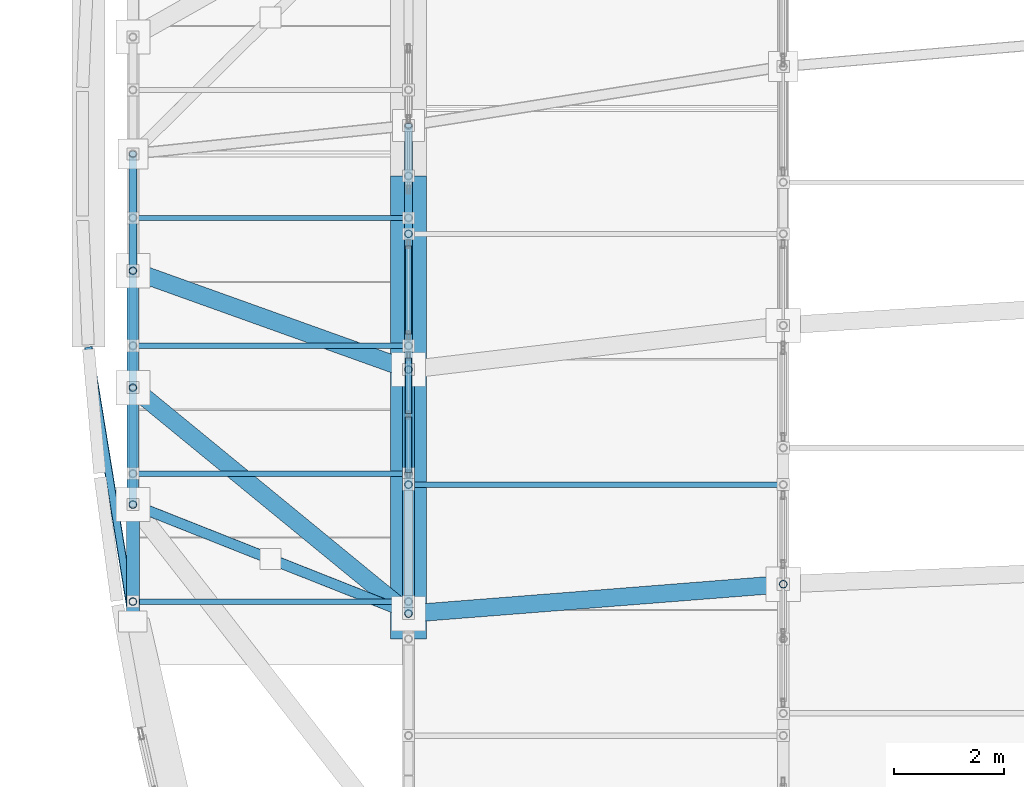
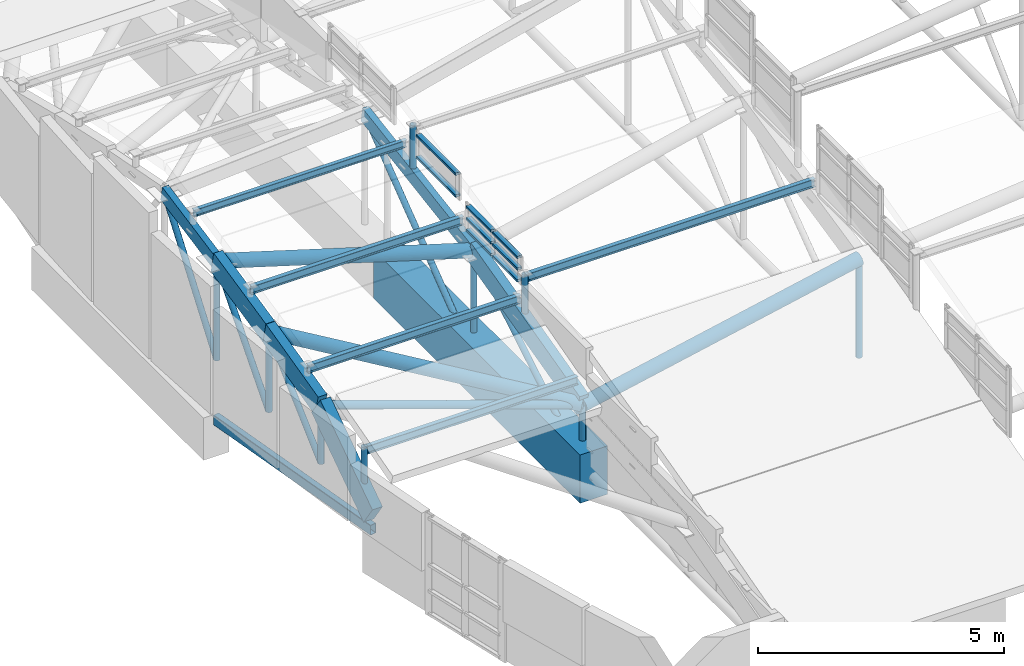
# One storey, part 68 of 188: 37 members, 2 beams, 2 elements without a shape of their own.
"""IFC4 building model written with IfcOpenShell, lengths in metres."""

import ifcopenshell
import ifcopenshell.guid

model = None  # the IFC model being written
_history = None  # IfcOwnerHistory: only IFC2X3 demands one
_inside = {}  # id of a spatial element -> (the spatial element, [elements in it])
_under = {}  # id of a project, library or spatial element -> (it, [spatial elements below it])
_declared = {}  # id of a project -> (the project, [libraries it declares])
_typed = {}  # id of a type object -> (the type object, [elements of that type])
_made_of = {}  # id of a material, layer set ... -> (it, [elements and type objects made of it])


def new_model(schema):
    """Start an empty IFC model of exactly this schema.

    Asked for "IFC4X3", IfcOpenShell would pick the latest addendum, in which some entities
    have other attributes; the version numbers below select the first issue.
    IFC2X3 requires an IfcOwnerHistory on every rooted entity: one is made here for all.
    """
    global model, _history
    if schema == "IFC4X3":
        model = ifcopenshell.file(schema_version=(4, 3, 0, 0))
    else:
        model = ifcopenshell.file(schema=schema)
    _inside.clear()
    _under.clear()
    _declared.clear()
    _typed.clear()
    _made_of.clear()
    _history = None
    if model.schema == "IFC2X3":
        org = make("IfcOrganization", Name="unknown")
        user = make(
            "IfcPersonAndOrganization",
            ThePerson=make("IfcPerson", FamilyName="unknown"),
            TheOrganization=org,
        )
        app = make(
            "IfcApplication",
            ApplicationDeveloper=org,
            Version="unknown",
            ApplicationFullName="unknown",
            ApplicationIdentifier="unknown",
        )
        _history = make(
            "IfcOwnerHistory",
            OwningUser=user,
            OwningApplication=app,
            ChangeAction="ADDED",
            CreationDate=0,
        )
    return model


def make(cls, **values):
    """One entity of the class cls with the attributes given. An attribute that is None is left unset."""
    return model.create_entity(
        cls, **{name: value for name, value in values.items() if value is not None}
    )


def rooted(cls, **values):
    """An entity with a GlobalId (a new one), such as an element, a storey or a relation."""
    return make(cls, GlobalId=ifcopenshell.guid.new(), OwnerHistory=_history, **values)


def si_unit(unit_type, name, prefix=None):
    """IfcSIUnit, for example si_unit("LENGTHUNIT", "METRE", prefix="MILLI")."""
    return make("IfcSIUnit", UnitType=unit_type, Prefix=prefix, Name=name)


def assignment(units):
    """IfcUnitAssignment: the units of a project."""
    return None if units is None else make("IfcUnitAssignment", Units=units)


def point(xyz):
    """IfcCartesianPoint."""
    return None if xyz is None else make("IfcCartesianPoint", Coordinates=xyz)


def direction(xyz):
    """IfcDirection."""
    return None if xyz is None else make("IfcDirection", DirectionRatios=xyz)


def frame(location, z_axis=None, x_axis=None):
    """IfcAxis2Placement3D, a coordinate frame: its origin and axes. An axis left out is left unset."""
    return make(
        "IfcAxis2Placement3D",
        Location=point(location),
        Axis=direction(z_axis),
        RefDirection=direction(x_axis),
    )


def frame_2d(location, x_axis=None):
    """IfcAxis2Placement2D, a coordinate frame in the plane: its origin and x axis."""
    return make(
        "IfcAxis2Placement2D", Location=point(location), RefDirection=direction(x_axis)
    )


def origin():
    """The frame at (0, 0, 0) with its axes left unset."""
    return frame((0.0, 0.0, 0.0))


def origin_2d():
    """The frame at (0, 0) in the plane with its x axis left unset."""
    return frame_2d((0.0, 0.0))


def place(relative_to, where):
    """IfcLocalPlacement: puts the frame where relative to a parent placement (None: the world)."""
    return make(
        "IfcLocalPlacement", PlacementRelTo=relative_to, RelativePlacement=where
    )


def context(
    kind, dimensions, precision=None, world=None, true_north=None, identifier=None
):
    """IfcGeometricRepresentationContext, for example the 3D "Model" context."""
    return make(
        "IfcGeometricRepresentationContext",
        ContextIdentifier=identifier,
        ContextType=kind,
        CoordinateSpaceDimension=dimensions,
        Precision=precision,
        WorldCoordinateSystem=world,
        TrueNorth=true_north,
    )


def subcontext(parent, identifier, kind, view, scale=None):
    """IfcGeometricRepresentationSubContext, for example "Body" below "Model"."""
    return make(
        "IfcGeometricRepresentationSubContext",
        ContextIdentifier=identifier,
        ContextType=kind,
        ParentContext=parent,
        TargetScale=scale,
        TargetView=view,
    )


def project(units=None, contexts=None):
    """IfcProject with its units and contexts."""
    return rooted(
        "IfcProject",
        Name="project",
        RepresentationContexts=contexts,
        UnitsInContext=assignment(units),
    )


def spatial(cls, under=None, at=None, **own):
    """A site, building, storey or space (cls), placed at a placement, below another one or the project."""
    s = rooted(cls, ObjectPlacement=at, **own)
    if under is not None:
        _under.setdefault(under.id(), (under, []))[1].append(s)
    return s


def profile(cls, at=None, kind="AREA", **sizes):
    """A parametric profile (cls). Its sizes go by their IFC names, for example OverallWidth=200.0."""
    return make(cls, ProfileType=kind, Position=at, **sizes)


def rectangle(**sizes):
    """IfcRectangleProfileDef."""
    return profile("IfcRectangleProfileDef", **sizes)


def hollow_rectangle(**sizes):
    """IfcRectangleHollowProfileDef."""
    return profile("IfcRectangleHollowProfileDef", **sizes)


def hollow_circle(**sizes):
    """IfcCircleHollowProfileDef."""
    return profile("IfcCircleHollowProfileDef", **sizes)


def i_section(**sizes):
    """IfcIShapeProfileDef."""
    return profile("IfcIShapeProfileDef", **sizes)


def extrude(swept, where, along, depth):
    """IfcExtrudedAreaSolid: the profile swept, set in the frame where, extruded along a direction by depth."""
    return make(
        "IfcExtrudedAreaSolid",
        SweptArea=swept,
        Position=where,
        ExtrudedDirection=direction(along),
        Depth=depth,
    )


def shape(context_of_items, identifier, shape_type, items):
    """IfcShapeRepresentation: the items that make up one representation, for example the "Body"."""
    return make(
        "IfcShapeRepresentation",
        ContextOfItems=context_of_items,
        RepresentationIdentifier=identifier,
        RepresentationType=shape_type,
        Items=items,
    )


def material(Name=None, Category=None):
    """IfcMaterial."""
    return make("IfcMaterial", Name=Name, Category=Category)


def layer(
    of_material, thickness, ventilated=None, Name=None, Category=None, Priority=None
):
    """IfcMaterialLayer: one layer of a wall or slab, of a material (None: an air gap)."""
    return make(
        "IfcMaterialLayer",
        Material=of_material,
        LayerThickness=thickness,
        IsVentilated=ventilated,
        Name=Name,
        Category=Category,
        Priority=Priority,
    )


def layer_set(layers, Name=None):
    """IfcMaterialLayerSet."""
    return make("IfcMaterialLayerSet", MaterialLayers=layers, LayerSetName=Name)


def material_profile(
    of_material, cross_section, Name=None, Category=None, Priority=None
):
    """IfcMaterialProfile: a cross section and its material."""
    return make(
        "IfcMaterialProfile",
        Name=Name,
        Material=of_material,
        Profile=cross_section,
        Priority=Priority,
        Category=Category,
    )


def profile_set(profiles, Name=None, composite=None):
    """IfcMaterialProfileSet."""
    return make(
        "IfcMaterialProfileSet",
        Name=Name,
        MaterialProfiles=profiles,
        CompositeProfile=composite,
    )


def made_of(thing, what):
    """Note that an element or type object is made of a material, layer set ...; save() writes the relation."""
    if what is not None:
        _made_of.setdefault(what.id(), (what, []))[1].append(thing)
    return thing


def type_object(cls, material=None, **own):
    """A type object (cls), such as IfcWallType, which elements share."""
    return made_of(rooted(cls, **own), material)


def element(
    cls,
    number,
    at=None,
    inside=None,
    cuts=None,
    type_object=None,
    material=None,
    context=None,
    identifier="Body",
    shape_type=None,
    held_by="IfcProductDefinitionShape",
    body=None,
    shapes=None,
    **own,
):
    """One element of the class cls, such as IfcWall. Its Tag is "e" and its number.

    at: its placement. inside: the storey or other place that contains it. cuts: it is an
    opening in that element (IfcRelVoidsElement). A single representation is given by context,
    identifier, shape_type and body (its items); several are given by shapes. held_by: the class
    of the entity that holds the representations. save() writes the other relations.
    """
    e = rooted(cls, Tag="e%d" % number, ObjectPlacement=at, **own)
    if body is not None:
        shapes = [shape(context, identifier, shape_type, body)]
    if shapes is not None:
        e.Representation = make(held_by, Representations=shapes)
    if inside is not None:
        _inside.setdefault(inside.id(), (inside, []))[1].append(e)
    if cuts is not None:
        rooted(
            "IfcRelVoidsElement", RelatingBuildingElement=cuts, RelatedOpeningElement=e
        )
    if type_object is not None:
        _typed.setdefault(type_object.id(), (type_object, []))[1].append(e)
    return made_of(e, material)


def aggregate(whole, parts):
    """IfcRelAggregates: a whole, such as a stair, and the parts it consists of."""
    return rooted("IfcRelAggregates", RelatingObject=whole, RelatedObjects=parts)


def save(model, path):
    """Write the relations noted so far, then the file.

    IfcRelAggregates (storeys below a building ...), IfcRelContainedInSpatialStructure (elements
    in a storey), IfcRelDefinesByType, IfcRelAssociatesMaterial and IfcRelDeclares: one each for
    every whole, place, type object, material and project.
    """
    for whole, parts in _under.values():
        aggregate(whole, parts)
    for where, things in _inside.values():
        rooted(
            "IfcRelContainedInSpatialStructure",
            RelatedElements=things,
            RelatingStructure=where,
        )
    for kind, things in _typed.values():
        rooted("IfcRelDefinesByType", RelatedObjects=things, RelatingType=kind)
    for what, things in _made_of.values():
        rooted("IfcRelAssociatesMaterial", RelatedObjects=things, RelatingMaterial=what)
    for by, libraries in _declared.values():
        rooted("IfcRelDeclares", RelatingContext=by, RelatedDefinitions=libraries)
    model.write(path)


model = new_model("IFC4")

# Units and contexts
model_context = context("Model", 3, precision=1e-05, world=origin(), true_north=direction((0.0, 1.0)))
body_context = subcontext(model_context, "Body", "Model", "MODEL_VIEW")
ifc_project = project(units=[si_unit("LENGTHUNIT", "METRE"), si_unit("AREAUNIT", "SQUARE_METRE"), si_unit("VOLUMEUNIT", "CUBIC_METRE"), si_unit("PLANEANGLEUNIT", "RADIAN"), si_unit("MASSUNIT", "GRAM", prefix="KILO")], contexts=[model_context])

# Site, building, storey
site_placement = place(None, origin())
site = spatial("IfcSite", under=ifc_project, at=site_placement, CompositionType="ELEMENT")
building_placement = place(site_placement, origin())
building = spatial("IfcBuilding", under=site, at=building_placement, Name="Kisaragi Civic Commons", CompositionType="ELEMENT")
storey_placement = place(building_placement, frame((0.0, 0.0, 9.60009765625)))
storey = spatial("IfcBuildingStorey", under=building, at=storey_placement, Name="L02", CompositionType="ELEMENT", Elevation=9.60009765625)

# Member
ifc_material_1 = material(Name="Steel SN400 (SN400B)", Category="steel")
ifc_material_profile_1 = material_profile(ifc_material_1, hollow_circle(Radius=0.095458984375, WallThickness=0.006103515625, at=origin_2d()), Name="CHS-190.7x6.0", Category="steel")
ifc_profile_set_1 = profile_set([ifc_material_profile_1], Name="Steel SN400 (SN400B)")
member_type_1 = type_object("IfcMemberType", Name="BR-06", PredefinedType="BRACE", material=ifc_profile_set_1)
member_1_placement = place(storey_placement, frame((1.800048828125, 90.037109375, 1.35986328125), z_axis=(0.925120078556, -0.3662535936, -0.100055711621), x_axis=(0.368100783589, 0.929785896387, 0.0)))
element("IfcMember", 1, at=member_1_placement, inside=storey, type_object=member_type_1, Name="V2 roof wind brace 1", PredefinedType="BRACE", context=body_context, shape_type="SweptSolid", body=[
    extrude(hollow_circle(Radius=0.095458984375, WallThickness=0.006103515625, at=origin_2d()), origin(), (0.0, 0.0, 1.0), 5.40478515625),
])

# Curtain wall, members
ifc_material_2 = material(Name="Thermally broken anodized aluminium and low-E double glazing", Category="aluminium")
ifc_layer = layer(ifc_material_2, 0.14990234375, Name="Thermally broken anodized aluminium and low-E double glazing", Category="aluminium")
ifc_layer_set = layer_set([ifc_layer], Name="Thermally broken anodized aluminium and low-E double glazing")
curtain_wall_type = type_object("IfcCurtainWallType", Name="CW-03", PredefinedType="NOTDEFINED", material=ifc_layer_set)
curtain_wall_1_placement = place(storey_placement, origin())
curtain_wall_1 = element("IfcCurtainWall", 2, at=curtain_wall_1_placement, inside=storey, type_object=curtain_wall_type, Name="L02 curtain wall CW-03 CW-CL-V2-175", PredefinedType="NOTDEFINED")
ifc_material_profile_2 = material_profile(ifc_material_2, hollow_rectangle(XDim=0.1201171875, YDim=0.06005859375, WallThickness=0.00390625, InnerFilletRadius=0.00390625, OuterFilletRadius=0.008056640625, at=origin_2d()), Name="CWT-60x120x4", Category="aluminium")
ifc_profile_set_2 = profile_set([ifc_material_profile_2], Name="Thermally broken anodized aluminium and low-E double glazing")
member_type_2 = type_object("IfcMemberType", Name="CWT-01", PredefinedType="USERDEFINED", material=ifc_profile_set_2)
member_2_placement = place(storey_placement, frame((6.800048828125, 90.618408203125, 2.345703125), z_axis=(0.0, 1.0, 0.0), x_axis=(-1.0, 0.0, 0.0)))
member_2 = element("IfcMember", 3, at=member_2_placement, type_object=member_type_2, Name="CW-03 transom 1.1", ObjectType="TRANSOM", PredefinedType="USERDEFINED", context=body_context, shape_type="SweptSolid", body=[
    extrude(hollow_rectangle(XDim=0.1201171875, YDim=0.06005859375, WallThickness=0.00390625, InnerFilletRadius=0.00390625, OuterFilletRadius=0.008056640625, at=origin_2d()), origin(), (0.0, 0.0, 1.0), 1.010009765625),
])
member_3_placement = place(storey_placement, frame((6.800048828125, 90.618408203125, 2.635986328125), z_axis=(0.0, 1.0, 0.0), x_axis=(-1.0, 0.0, 0.0)))
member_3 = element("IfcMember", 4, at=member_3_placement, type_object=member_type_2, Name="CW-03 transom 1.2", ObjectType="TRANSOM", PredefinedType="USERDEFINED", context=body_context, shape_type="SweptSolid", body=[
    extrude(hollow_rectangle(XDim=0.1201171875, YDim=0.06005859375, WallThickness=0.00390625, InnerFilletRadius=0.00390625, OuterFilletRadius=0.008056640625, at=origin_2d()), origin(), (0.0, 0.0, 1.0), 1.010009765625),
])
member_4_placement = place(storey_placement, frame((6.800048828125, 90.618408203125, 2.92626953125), z_axis=(0.0, 1.0, 0.0), x_axis=(-1.0, 0.0, 0.0)))
member_4 = element("IfcMember", 5, at=member_4_placement, type_object=member_type_2, Name="CW-03 transom 1.3", ObjectType="TRANSOM", PredefinedType="USERDEFINED", context=body_context, shape_type="SweptSolid", body=[
    extrude(hollow_rectangle(XDim=0.1201171875, YDim=0.06005859375, WallThickness=0.00390625, InnerFilletRadius=0.00390625, OuterFilletRadius=0.008056640625, at=origin_2d()), origin(), (0.0, 0.0, 1.0), 1.010009765625),
])
member_5_placement = place(storey_placement, frame((6.800048828125, 91.6884765625, 2.345703125), z_axis=(0.0, 1.0, 0.0), x_axis=(-1.0, 0.0, 0.0)))
member_5 = element("IfcMember", 6, at=member_5_placement, type_object=member_type_2, Name="CW-03 transom 2.1", ObjectType="TRANSOM", PredefinedType="USERDEFINED", context=body_context, shape_type="SweptSolid", body=[
    extrude(hollow_rectangle(XDim=0.1201171875, YDim=0.06005859375, WallThickness=0.00390625, InnerFilletRadius=0.00390625, OuterFilletRadius=0.008056640625, at=origin_2d()), origin(), (0.0, 0.0, 1.0), 1.010009765625),
])
member_6_placement = place(storey_placement, frame((6.800048828125, 91.6884765625, 2.635986328125), z_axis=(0.0, 1.0, 0.0), x_axis=(-1.0, 0.0, 0.0)))
member_6 = element("IfcMember", 7, at=member_6_placement, type_object=member_type_2, Name="CW-03 transom 2.2", ObjectType="TRANSOM", PredefinedType="USERDEFINED", context=body_context, shape_type="SweptSolid", body=[
    extrude(hollow_rectangle(XDim=0.1201171875, YDim=0.06005859375, WallThickness=0.00390625, InnerFilletRadius=0.00390625, OuterFilletRadius=0.008056640625, at=origin_2d()), origin(), (0.0, 0.0, 1.0), 1.010009765625),
])
member_7_placement = place(storey_placement, frame((6.800048828125, 91.6884765625, 2.92626953125), z_axis=(0.0, 1.0, 0.0), x_axis=(-1.0, 0.0, 0.0)))
member_7 = element("IfcMember", 8, at=member_7_placement, type_object=member_type_2, Name="CW-03 transom 2.3", ObjectType="TRANSOM", PredefinedType="USERDEFINED", context=body_context, shape_type="SweptSolid", body=[
    extrude(hollow_rectangle(XDim=0.1201171875, YDim=0.06005859375, WallThickness=0.00390625, InnerFilletRadius=0.00390625, OuterFilletRadius=0.008056640625, at=origin_2d()), origin(), (0.0, 0.0, 1.0), 1.010009765625),
])
aggregate(curtain_wall_1, [member_2, member_3, member_4, member_5, member_6, member_7])

curtain_wall_2_placement = place(storey_placement, origin())
curtain_wall_2 = element("IfcCurtainWall", 9, at=curtain_wall_2_placement, inside=storey, type_object=curtain_wall_type, Name="L02 curtain wall CW-03 CW-CL-V2-176", PredefinedType="NOTDEFINED")
member_8_placement = place(storey_placement, frame((6.800048828125, 93.133056640625, 2.924560546875), z_axis=(0.0, 1.0, 0.0), x_axis=(-1.0, 0.0, 0.0)))
member_8 = element("IfcMember", 10, at=member_8_placement, type_object=member_type_2, Name="CW-03 transom 1.1", ObjectType="TRANSOM", PredefinedType="USERDEFINED", context=body_context, shape_type="SweptSolid", body=[
    extrude(hollow_rectangle(XDim=0.1201171875, YDim=0.06005859375, WallThickness=0.00390625, InnerFilletRadius=0.00390625, OuterFilletRadius=0.008056640625, at=origin_2d()), origin(), (0.0, 0.0, 1.0), 1.5966796875),
])
member_9_placement = place(storey_placement, frame((6.800048828125, 93.133056640625, 3.466064453125), z_axis=(0.0, 1.0, 0.0), x_axis=(-1.0, 0.0, 0.0)))
member_9 = element("IfcMember", 11, at=member_9_placement, type_object=member_type_2, Name="CW-03 transom 1.2", ObjectType="TRANSOM", PredefinedType="USERDEFINED", context=body_context, shape_type="SweptSolid", body=[
    extrude(hollow_rectangle(XDim=0.1201171875, YDim=0.06005859375, WallThickness=0.00390625, InnerFilletRadius=0.00390625, OuterFilletRadius=0.008056640625, at=origin_2d()), origin(), (0.0, 0.0, 1.0), 1.5966796875),
])
aggregate(curtain_wall_2, [member_8, member_9])

# Beam
ifc_material_3 = material(Name="Concrete Fc36", Category="concrete")
ifc_material_profile_3 = material_profile(ifc_material_3, rectangle(XDim=0.64990234375, YDim=1.199951171875, at=origin_2d()), Name="RC-650x1200", Category="concrete")
ifc_profile_set_3 = profile_set([ifc_material_profile_3], Name="Concrete Fc36")
beam_type_1 = type_object("IfcBeamType", Name="G-07", PredefinedType="BEAM", material=ifc_profile_set_3)
beam_1_placement = place(storey_placement, frame((6.800048828125, 87.60009765625, -0.650146484375), z_axis=(0.0, 1.0, 0.0), x_axis=(-1.0, 0.0, 0.0)))
element("IfcBeam", 12, at=beam_1_placement, inside=storey, type_object=beam_type_1, Name="V2 arch transfer RC girder G-07 R1", PredefinedType="BEAM", context=body_context, shape_type="SweptSolid", body=[
    extrude(rectangle(XDim=0.64990234375, YDim=1.199951171875, at=origin_2d()), origin(), (0.0, 0.0, 1.0), 8.39990234375),
])

# Members
ifc_material_4 = material(Name="Steel SN490 (SN490B)", Category="steel")
ifc_material_profile_4 = material_profile(ifc_material_4, hollow_circle(Radius=0.1591796875, WallThickness=0.01025390625, at=origin_2d()), Name="CHS-318.5x10.3", Category="steel")
ifc_profile_set_4 = profile_set([ifc_material_profile_4], Name="Steel SN490 (SN490B)")
member_type_3 = type_object("IfcMemberType", Name="GC-03", PredefinedType="CHORD", material=ifc_profile_set_4)
member_10_placement = place(storey_placement, frame((1.800048828125, 92.158203125, 1.8857421875), z_axis=(0.762913918153, -0.62567881686, -0.162752485762), x_axis=(0.634133767536, 0.773223360272, 0.0)))
element("IfcMember", 13, at=member_10_placement, inside=storey, type_object=member_type_3, Name="V2 wave gridshell chord GC-03 2", PredefinedType="CHORD", context=body_context, shape_type="SweptSolid", body=[
    extrude(hollow_circle(Radius=0.1591796875, WallThickness=0.01025390625, at=origin_2d()), origin(), (0.0, 0.0, 1.0), 6.5537109375),
])
member_11_placement = place(storey_placement, frame((1.800048828125, 94.279052734375, 2.35595703125), z_axis=(0.938713314153, -0.336525056275, -0.074620374777), x_axis=(0.337465906701, 0.94133775119, 0.0)))
element("IfcMember", 14, at=member_11_placement, inside=storey, type_object=member_type_3, Name="V2 wave gridshell chord GC-03 3", PredefinedType="CHORD", context=body_context, shape_type="SweptSolid", body=[
    extrude(hollow_circle(Radius=0.1591796875, WallThickness=0.01025390625, at=origin_2d()), origin(), (0.0, 0.0, 1.0), 5.326416015625),
])
member_12_placement = place(storey_placement, frame((6.800048828125, 88.0576171875, 0.819091796875), z_axis=(0.98804602846, 0.077722645616, 0.133132400273), x_axis=(-0.078420726414, 0.996920352721, 0.0)))
element("IfcMember", 15, at=member_12_placement, inside=storey, type_object=member_type_3, Name="V2 wave gridshell chord GC-03 9", PredefinedType="CHORD", context=body_context, shape_type="SweptSolid", body=[
    extrude(hollow_circle(Radius=0.1591796875, WallThickness=0.01025390625, at=origin_2d()), origin(), (0.0, 0.0, 1.0), 6.88232421875),
])
ifc_material_5 = material(Name="Glulam E120-F330", Category="wood")
ifc_material_profile_5 = material_profile(ifc_material_5, rectangle(XDim=0.239990234375, YDim=0.6298828125, at=origin_2d()), Name="GL-240x630", Category="wood")
ifc_profile_set_5 = profile_set([ifc_material_profile_5], Name="Glulam E120-F330")
member_type_4 = type_object("IfcMemberType", Name="GR-03", PredefinedType="RAFTER", material=ifc_profile_set_5)
member_13_placement = place(storey_placement, frame((1.800048828125, 87.916259765625, -0.080078125), z_axis=(0.0, 0.827331933812, 0.561713335515), x_axis=(-1.0, 0.0, 0.0)))
element("IfcMember", 16, at=member_13_placement, inside=storey, type_object=member_type_4, Name="V2 glulam arch rib GR-03 1", PredefinedType="RAFTER", context=body_context, shape_type="SweptSolid", body=[
    extrude(rectangle(XDim=0.239990234375, YDim=0.6298828125, at=origin_2d()), origin(), (0.0, 0.0, 1.0), 2.5634765625),
])
ifc_material_profile_6 = material_profile(ifc_material_5, rectangle(XDim=0.2099609375, YDim=0.5400390625, at=origin_2d()), Name="GL-210x540", Category="wood")
ifc_profile_set_6 = profile_set([ifc_material_profile_6], Name="Glulam E120-F330")
member_type_5 = type_object("IfcMemberType", Name="GR-04", PredefinedType="RAFTER", material=ifc_profile_set_6)
member_14_placement = place(storey_placement, frame((1.800048828125, 90.037109375, 1.35986328125), z_axis=(0.0, 0.970613816366, 0.240642513864), x_axis=(-1.0, 0.0, 0.0)))
element("IfcMember", 17, at=member_14_placement, inside=storey, type_object=member_type_5, Name="V2 glulam arch rib GR-04 2", PredefinedType="RAFTER", context=body_context, shape_type="SweptSolid", body=[
    extrude(rectangle(XDim=0.2099609375, YDim=0.5400390625, at=origin_2d()), origin(), (0.0, 0.0, 1.0), 2.185302734375),
])
member_15_placement = place(storey_placement, frame((1.800048828125, 92.158203125, 1.8857421875), z_axis=(0.0, 0.976292718715, 0.216454446442), x_axis=(-1.0, 0.0, 0.0)))
element("IfcMember", 18, at=member_15_placement, inside=storey, type_object=member_type_5, Name="V2 glulam arch rib GR-04 3", PredefinedType="RAFTER", context=body_context, shape_type="SweptSolid", body=[
    extrude(rectangle(XDim=0.2099609375, YDim=0.5400390625, at=origin_2d()), origin(), (0.0, 0.0, 1.0), 2.17236328125),
])
member_16_placement = place(storey_placement, frame((6.800048828125, 88.0576171875, 0.819091796875), z_axis=(0.0, 0.968464966593, 0.249149771186), x_axis=(-1.0, 0.0, 0.0)))
element("IfcMember", 19, at=member_16_placement, inside=storey, type_object=member_type_5, Name="V2 glulam arch rib GR-04 11", PredefinedType="RAFTER", context=body_context, shape_type="SweptSolid", body=[
    extrude(rectangle(XDim=0.2099609375, YDim=0.5400390625, at=origin_2d()), origin(), (0.0, 0.0, 1.0), 4.5732421875),
])
ifc_material_profile_7 = material_profile(ifc_material_5, rectangle(XDim=0.14990234375, YDim=0.360107421875, at=origin_2d()), Name="GL-150x360", Category="wood")
ifc_profile_set_7 = profile_set([ifc_material_profile_7], Name="Glulam E120-F330")
member_type_6 = type_object("IfcMemberType", Name="GR-06", PredefinedType="RAFTER", material=ifc_profile_set_7)
member_17_placement = place(storey_placement, frame((1.800048828125, 94.279052734375, 2.35595703125), z_axis=(0.0, 0.981384786643, 0.192051817347), x_axis=(-1.0, 0.0, 0.0)))
element("IfcMember", 20, at=member_17_placement, inside=storey, type_object=member_type_6, Name="V2 glulam arch rib GR-06 4", PredefinedType="RAFTER", context=body_context, shape_type="SweptSolid", body=[
    extrude(rectangle(XDim=0.14990234375, YDim=0.360107421875, at=origin_2d()), origin(), (0.0, 0.0, 1.0), 2.1611328125),
])
member_18_placement = place(storey_placement, frame((6.800048828125, 92.486572265625, 1.95849609375), z_axis=(0.0, 0.987309198472, 0.158809781222), x_axis=(-1.0, 0.0, 0.0)))
element("IfcMember", 21, at=member_18_placement, inside=storey, type_object=member_type_6, Name="V2 glulam arch rib GR-06 12", PredefinedType="RAFTER", context=body_context, shape_type="SweptSolid", body=[
    extrude(rectangle(XDim=0.14990234375, YDim=0.360107421875, at=origin_2d()), origin(), (0.0, 0.0, 1.0), 4.48583984375),
])

# Beam
ifc_material_6 = material(Name="Steel STKR400", Category="steel")
ifc_material_profile_8 = material_profile(ifc_material_6, hollow_rectangle(XDim=0.14990234375, YDim=0.25, WallThickness=0.009033203125, InnerFilletRadius=0.009033203125, OuterFilletRadius=0.01806640625, at=origin_2d()), Name="STKR-250x150x9", Category="steel")
ifc_profile_set_8 = profile_set([ifc_material_profile_8], Name="Steel STKR400")
beam_type_2 = type_object("IfcBeamType", Name="LN-02", PredefinedType="LINTEL", material=ifc_profile_set_8)
beam_2_placement = place(storey_placement, frame((0.9912109375, 92.896484375, -0.445068359375), z_axis=(0.160309443264, -0.987066807466, 0.0), x_axis=(0.987066807466, 0.160309443264, 0.0)))
element("IfcBeam", 22, at=beam_2_placement, inside=storey, type_object=beam_type_2, Name="L02 curved spandrel/ring girder LN-02 280", PredefinedType="LINTEL", context=body_context, shape_type="SweptSolid", body=[
    extrude(hollow_rectangle(XDim=0.14990234375, YDim=0.25, WallThickness=0.009033203125, InnerFilletRadius=0.009033203125, OuterFilletRadius=0.01806640625, at=origin_2d()), origin(), (0.0, 0.0, 1.0), 5.04541015625),
])

# Members
ifc_material_profile_9 = material_profile(ifc_material_1, i_section(OverallWidth=0.10009765625, OverallDepth=0.199951171875, WebThickness=0.005615234375, FlangeThickness=0.008056640625, FilletRadius=0.008056640625, at=origin_2d()), Name="H-200x100x5.5x8", Category="steel")
ifc_profile_set_9 = profile_set([ifc_material_profile_9], Name="Steel SN400 (SN400B)")
member_type_7 = type_object("IfcMemberType", Name="PR-02", PredefinedType="PURLIN", material=ifc_profile_set_9)
for number, where, z_axis, x_axis, name in (
    (23, (1.800048828125, 88.276611328125, 1.30419921875), (1.0, 0.0, 0.0), (0.0, 1.0, 0.0), "V2 wave vault steel purlin 1"),
    (24, (1.800048828125, 90.59765625, 1.91845703125), (1.0, 0.0, 0.0), (0.0, 1.0, 0.0), "V2 wave vault steel purlin 2"),
    (25, (1.800048828125, 92.918701171875, 2.468017578125), (1.0, 0.0, 0.0), (0.0, 1.0, 0.0), "V2 wave vault steel purlin 3"),
):
    element("IfcMember", number, at=place(storey_placement, frame(where, z_axis=z_axis, x_axis=x_axis)), inside=storey, type_object=member_type_7, Name=name, PredefinedType="PURLIN", context=body_context, shape_type="SweptSolid", body=[
        extrude(i_section(OverallWidth=0.10009765625, OverallDepth=0.199951171875, WebThickness=0.005615234375, FlangeThickness=0.008056640625, FilletRadius=0.008056640625, at=origin_2d()), origin(), (0.0, 0.0, 1.0), 5.0),
    ])
member_19_placement = place(storey_placement, frame((6.800048828125, 90.3984375, 2.54931640625), z_axis=(1.0, 0.0, 0.0), x_axis=(0.0, 1.0, 0.0)))
element("IfcMember", 26, at=member_19_placement, inside=storey, type_object=member_type_7, Name="V2 wave vault steel purlin 11", PredefinedType="PURLIN", context=body_context, shape_type="SweptSolid", body=[
    extrude(i_section(OverallWidth=0.10009765625, OverallDepth=0.199951171875, WebThickness=0.005615234375, FlangeThickness=0.008056640625, FilletRadius=0.008056640625, at=origin_2d()), origin(), (0.0, 0.0, 1.0), 6.800048828125),
])
ifc_material_profile_10 = material_profile(ifc_material_1, i_section(OverallWidth=0.090087890625, OverallDepth=0.175048828125, WebThickness=0.0048828125, FlangeThickness=0.008056640625, FilletRadius=0.008056640625, at=origin_2d()), Name="H-175x90x5x8", Category="steel")
ifc_profile_set_10 = profile_set([ifc_material_profile_10], Name="Steel SN400 (SN400B)")
member_type_8 = type_object("IfcMemberType", Name="PR-03", PredefinedType="PURLIN", material=ifc_profile_set_10)
member_20_placement = place(storey_placement, frame((1.800048828125, 95.239501953125, 2.967041015625), z_axis=(1.0, 0.0, 0.0), x_axis=(0.0, 1.0, 0.0)))
element("IfcMember", 27, at=member_20_placement, inside=storey, type_object=member_type_8, Name="V2 wave vault steel purlin 4", PredefinedType="PURLIN", context=body_context, shape_type="SweptSolid", body=[
    extrude(i_section(OverallWidth=0.090087890625, OverallDepth=0.175048828125, WebThickness=0.0048828125, FlangeThickness=0.008056640625, FilletRadius=0.008056640625, at=origin_2d()), origin(), (0.0, 0.0, 1.0), 5.0),
])
ifc_material_profile_11 = material_profile(ifc_material_4, hollow_circle(Radius=0.06982421875, WallThickness=0.006103515625, at=origin_2d()), Name="CHS-139.8x6.0", Category="steel")
ifc_profile_set_11 = profile_set([ifc_material_profile_11], Name="Steel SN490 (SN490B)")
member_type_9 = type_object("IfcMemberType", Name="ST-H1", PredefinedType="STRUT", material=ifc_profile_set_11)
member_21_placement = place(storey_placement, frame((1.800048828125, 90.037109375, -0.080078125), z_axis=(0.0, 0.0, 1.0), x_axis=(1.0, 0.0, 0.0)))
element("IfcMember", 28, at=member_21_placement, inside=storey, type_object=member_type_9, Name="V2 arch tie hanger strut 2", PredefinedType="STRUT", context=body_context, shape_type="SweptSolid", body=[
    extrude(hollow_circle(Radius=0.06982421875, WallThickness=0.006103515625, at=origin_2d()), origin(), (0.0, 0.0, 1.0), 1.43994140625),
])
member_22_placement = place(storey_placement, frame((1.800048828125, 92.158203125, -0.080078125), z_axis=(0.0, 0.0, 1.0), x_axis=(1.0, 0.0, 0.0)))
element("IfcMember", 29, at=member_22_placement, inside=storey, type_object=member_type_9, Name="V2 arch tie hanger strut 3", PredefinedType="STRUT", context=body_context, shape_type="SweptSolid", body=[
    extrude(hollow_circle(Radius=0.06982421875, WallThickness=0.006103515625, at=origin_2d()), origin(), (0.0, 0.0, 1.0), 1.9658203125),
])
member_23_placement = place(storey_placement, frame((1.800048828125, 94.279052734375, -0.080078125), z_axis=(0.0, 0.0, 1.0), x_axis=(1.0, 0.0, 0.0)))
element("IfcMember", 30, at=member_23_placement, inside=storey, type_object=member_type_9, Name="V2 arch tie hanger strut 4", PredefinedType="STRUT", context=body_context, shape_type="SweptSolid", body=[
    extrude(hollow_circle(Radius=0.06982421875, WallThickness=0.006103515625, at=origin_2d()), origin(), (0.0, 0.0, 1.0), 2.43603515625),
])
member_24_placement = place(storey_placement, frame((1.800048828125, 90.037109375, -0.080078125), z_axis=(0.0, 0.733442615094, 0.679751373934), x_axis=(-1.0, 0.0, 0.0)))
element("IfcMember", 31, at=member_24_placement, inside=storey, type_object=member_type_9, Name="V2 tied arch truss diagonal web strut 9", PredefinedType="STRUT", context=body_context, shape_type="SweptSolid", body=[
    extrude(hollow_circle(Radius=0.06982421875, WallThickness=0.006103515625, at=origin_2d()), origin(), (0.0, 0.0, 1.0), 2.89208984375),
])
member_25_placement = place(storey_placement, frame((1.800048828125, 92.158203125, -0.080078125), z_axis=(0.0, 0.656629601113, 0.754213210533), x_axis=(-1.0, 0.0, 0.0)))
element("IfcMember", 32, at=member_25_placement, inside=storey, type_object=member_type_9, Name="V2 tied arch truss diagonal web strut 10", PredefinedType="STRUT", context=body_context, shape_type="SweptSolid", body=[
    extrude(hollow_circle(Radius=0.06982421875, WallThickness=0.006103515625, at=origin_2d()), origin(), (0.0, 0.0, 1.0), 3.22998046875),
])
member_26_placement = place(storey_placement, frame((1.800048828125, 94.279052734375, -0.080078125), z_axis=(0.0, 0.5968513676, 0.802351821207), x_axis=(-1.0, 0.0, 0.0)))
element("IfcMember", 33, at=member_26_placement, inside=storey, type_object=member_type_9, Name="V2 tied arch truss diagonal web strut 11", PredefinedType="STRUT", context=body_context, shape_type="SweptSolid", body=[
    extrude(hollow_circle(Radius=0.06982421875, WallThickness=0.006103515625, at=origin_2d()), origin(), (0.0, 0.0, 1.0), 3.553466796875),
])
member_27_placement = place(storey_placement, frame((6.800048828125, 88.0576171875, -0.69921875), z_axis=(0.0, 0.0, 1.0), x_axis=(1.0, 0.0, 0.0)))
element("IfcMember", 34, at=member_27_placement, inside=storey, type_object=member_type_9, Name="V2 arch tie hanger strut 18", PredefinedType="STRUT", context=body_context, shape_type="SweptSolid", body=[
    extrude(hollow_circle(Radius=0.06982421875, WallThickness=0.006103515625, at=origin_2d()), origin(), (0.0, 0.0, 1.0), 1.518310546875),
])
member_28_placement = place(storey_placement, frame((6.800048828125, 92.486572265625, -0.69921875), z_axis=(0.0, 0.0, 1.0), x_axis=(1.0, 0.0, 0.0)))
element("IfcMember", 35, at=member_28_placement, inside=storey, type_object=member_type_9, Name="V2 arch tie hanger strut 19", PredefinedType="STRUT", context=body_context, shape_type="SweptSolid", body=[
    extrude(hollow_circle(Radius=0.06982421875, WallThickness=0.006103515625, at=origin_2d()), origin(), (0.0, 0.0, 1.0), 2.65771484375),
])
member_29_placement = place(storey_placement, frame((6.800048828125, 88.0576171875, -0.69921875), z_axis=(0.0, 0.857463730244, 0.514544411413), x_axis=(-1.0, 0.0, 0.0)))
element("IfcMember", 36, at=member_29_placement, inside=storey, type_object=member_type_9, Name="V2 tied arch truss diagonal web strut 25", PredefinedType="STRUT", context=body_context, shape_type="SweptSolid", body=[
    extrude(hollow_circle(Radius=0.06982421875, WallThickness=0.006103515625, at=origin_2d()), origin(), (0.0, 0.0, 1.0), 5.165283203125),
])
member_30_placement = place(storey_placement, frame((6.800048828125, 92.486572265625, -0.69921875), z_axis=(0.0, 0.795806175368, 0.605551427417), x_axis=(-1.0, 0.0, 0.0)))
element("IfcMember", 37, at=member_30_placement, inside=storey, type_object=member_type_9, Name="V2 tied arch truss diagonal web strut 26", PredefinedType="STRUT", context=body_context, shape_type="SweptSolid", body=[
    extrude(hollow_circle(Radius=0.06982421875, WallThickness=0.006103515625, at=origin_2d()), origin(), (0.0, 0.0, 1.0), 5.5654296875),
])
member_31_placement = place(storey_placement, frame((13.60009765625, 88.592529296875, -0.69921875), z_axis=(0.0, 0.0, 1.0), x_axis=(1.0, 0.0, 0.0)))
element("IfcMember", 38, at=member_31_placement, inside=storey, type_object=member_type_9, Name="V2 arch tie hanger strut 32", PredefinedType="STRUT", context=body_context, shape_type="SweptSolid", body=[
    extrude(hollow_circle(Radius=0.06982421875, WallThickness=0.006103515625, at=origin_2d()), origin(), (0.0, 0.0, 1.0), 2.4345703125),
])
member_32_placement = place(storey_placement, frame((1.800048828125, 88.276611328125, 0.16455078125), z_axis=(0.0, 0.0, 1.0), x_axis=(1.0, 0.0, 0.0)))
element("IfcMember", 39, at=member_32_placement, inside=storey, type_object=member_type_9, Name="V2 clerestory monitor horizontal tie strut 1.0.1", PredefinedType="STRUT", context=body_context, shape_type="SweptSolid", body=[
    extrude(hollow_circle(Radius=0.06982421875, WallThickness=0.006103515625, at=origin_2d()), origin(), (0.0, 0.0, 1.0), 1.23974609375),
])
member_33_placement = place(storey_placement, frame((6.800048828125, 90.3984375, 1.42138671875), z_axis=(0.0, 0.0, 1.0), x_axis=(1.0, 0.0, 0.0)))
element("IfcMember", 40, at=member_33_placement, inside=storey, type_object=member_type_9, Name="V2 clerestory monitor horizontal tie strut 2.1.3", PredefinedType="STRUT", context=body_context, shape_type="SweptSolid", body=[
    extrude(hollow_circle(Radius=0.06982421875, WallThickness=0.006103515625, at=origin_2d()), origin(), (0.0, 0.0, 1.0), 1.22802734375),
])
member_34_placement = place(storey_placement, frame((6.800048828125, 94.94970703125, 2.354736328125), z_axis=(0.0, 0.0, 1.0), x_axis=(1.0, 0.0, 0.0)))
element("IfcMember", 41, at=member_34_placement, inside=storey, type_object=member_type_9, Name="V2 clerestory monitor horizontal tie strut 2.1.4", PredefinedType="STRUT", context=body_context, shape_type="SweptSolid", body=[
    extrude(hollow_circle(Radius=0.06982421875, WallThickness=0.006103515625, at=origin_2d()), origin(), (0.0, 0.0, 1.0), 1.2451171875),
])

save(model, "model.ifc")
